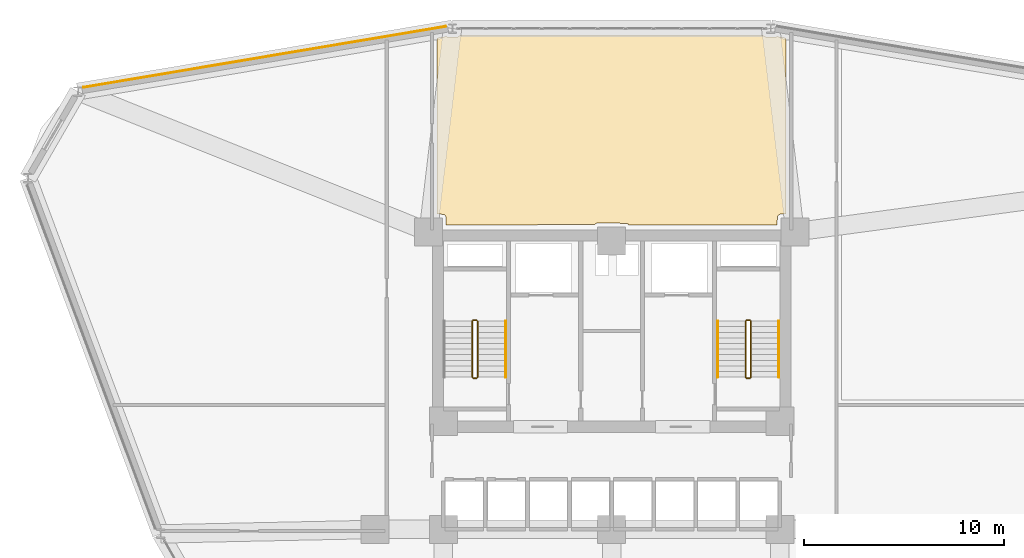
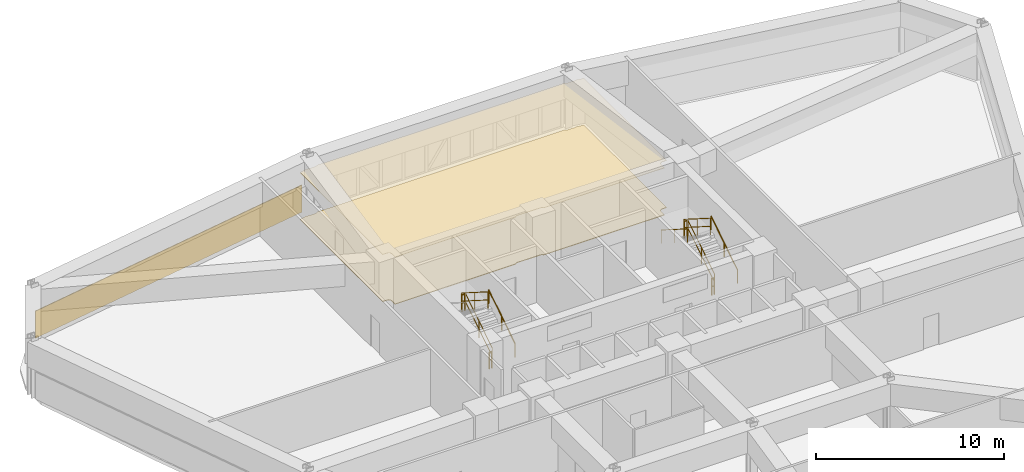
# One storey, part 19 of 20: 11 railings, 3 coverings.
"""IFC4 building model written with IfcOpenShell, lengths in metres."""

from ifc_helpers import new_model, si_unit, derived_unit, direction, frame, origin, origin_2d, place, context, subcontext, project, spatial, polyline, circle, outline, extrude, material, layer, layer_set, type_object, element, save


model = new_model("IFC4")

# Units and contexts
model_context = context("Model", 3, precision=1e-05, world=origin(), true_north=direction((0.0, 1.0)))
body_context = subcontext(model_context, "Body", "Model", "MODEL_VIEW")
ifc_project = project(units=[si_unit("LENGTHUNIT", "METRE"), si_unit("AREAUNIT", "SQUARE_METRE"), si_unit("VOLUMEUNIT", "CUBIC_METRE"), si_unit("PLANEANGLEUNIT", "RADIAN"), si_unit("MASSUNIT", "GRAM", prefix="KILO"), derived_unit("THERMALTRANSMITTANCEUNIT", [(si_unit("POWERUNIT", "WATT"), 1), (si_unit("LENGTHUNIT", "METRE"), -2), (si_unit("THERMODYNAMICTEMPERATUREUNIT", "KELVIN"), -1)])], contexts=[model_context])

# Site, building, storey
site_placement = place(None, origin())
site = spatial("IfcSite", under=ifc_project, at=site_placement, CompositionType="ELEMENT")
building_placement = place(site_placement, origin())
building = spatial("IfcBuilding", under=site, at=building_placement, Name="Korsvarv Bourse and Concert Hall", CompositionType="ELEMENT")
storey_placement = place(building_placement, frame((0.0, 0.0, 39.60009765625)))
storey = spatial("IfcBuildingStorey", under=building, at=storey_placement, Name="L09", CompositionType="ELEMENT", Elevation=39.60009765625)

# Coverings
ifc_material_1 = material(Name="Perforated mineral-wool and birch acoustic baffle ceiling", Category="wood")
ifc_layer_1 = layer(ifc_material_1, 0.02490234375)
ifc_layer_set_1 = layer_set([ifc_layer_1], Name="Perforated mineral-wool and birch acoustic baffle ceiling")
covering_type_1 = type_object("IfcCoveringType", Name="COV-CEIL-1", PredefinedType="CEILING", material=ifc_layer_set_1)
covering_1_placement = place(storey_placement, frame((0.0, 0.0, 3.059814453125)))
element("IfcCovering", 1, at=covering_1_placement, inside=storey, type_object=covering_type_1, Name="L09 acoustic baffle ceiling 3", PredefinedType="CEILING", context=body_context, shape_type="SweptSolid", body=[
    extrude(outline(polyline([(27.753173828125, 57.00537109375), (27.781494140625, 56.993408203125), (27.8154296875, 56.98583984375), (28.266845703125, 56.974609375), (28.302001953125, 56.977294921875), (28.336181640625, 56.98681640625), (28.367919921875, 57.002685546875), (28.395751953125, 57.02490234375), (28.418701171875, 57.0517578125), (43.57177734375, 57.0615234375), (43.59033203125, 57.038818359375), (43.616943359375, 57.016357421875), (43.6474609375, 56.99951171875), (43.680419921875, 56.98876953125), (43.715087890625, 56.984619140625), (44.14892578125, 56.974609375), (44.184326171875, 56.977294921875), (44.21875, 56.98681640625), (44.25048828125, 57.0029296875), (44.7099609375, 56.927490234375), (44.7099609375, 48.139892578125), (44.449951171875, 48.139892578125), (44.415283203125, 48.13671875), (44.3818359375, 48.126708984375), (44.35107421875, 48.1103515625), (44.323974609375, 48.08837890625), (44.301513671875, 48.061767578125), (44.28466796875, 48.03125), (44.274169921875, 47.998046875), (44.27001953125, 47.96337890625), (44.26318359375, 47.60009765625), (36.859619140625, 47.60009765625), (36.837646484375, 47.626708984375), (36.810791015625, 47.649169921875), (36.77978515625, 47.666015625), (36.74609375, 47.67626953125), (36.711181640625, 47.679931640625), (35.30126953125, 47.68994140625), (35.266357421875, 47.686767578125), (35.232421875, 47.677001953125), (35.201416015625, 47.66064453125), (35.174072265625, 47.638427734375), (35.1513671875, 47.611572265625), (27.739990234375, 47.60009765625), (27.739990234375, 47.949951171875), (27.736572265625, 47.984619140625), (27.726806640625, 48.01806640625), (27.71044921875, 48.048828125), (27.688720703125, 48.075927734375), (27.662109375, 48.098388671875), (27.631591796875, 48.114990234375), (27.598388671875, 48.125732421875), (27.56396484375, 48.1298828125), (27.2900390625, 48.135986328125), (27.2900390625, 56.927490234375), (27.753173828125, 57.00537109375)])), origin(), (0.0, 0.0, 1.0), 0.025146484375),
])
ifc_material_2 = material(Name="Warm iron-oxide extruded terracotta rainscreen tile", Category="ceramic")
ifc_layer_2 = layer(ifc_material_2, 0.044921875)
ifc_layer_set_2 = layer_set([ifc_layer_2], Name="Warm iron-oxide extruded terracotta rainscreen tile")
covering_type_2 = type_object("IfcCoveringType", Name="COV-CLD-TC", PredefinedType="CLADDING", material=ifc_layer_set_2)
covering_2_placement = place(storey_placement, origin())
element("IfcCovering", 2, at=covering_2_placement, inside=storey, type_object=covering_type_2, Name="L09 fluted terracotta cladding panel EW-L09-B04", PredefinedType="CLADDING", context=body_context, shape_type="SweptSolid", body=[
    extrude(outline(polyline([(27.740478515625, 57.48486328125), (9.636474609375, 54.440185546875), (9.62890625, 54.484619140625), (27.733154296875, 57.529296875), (27.740478515625, 57.48486328125)])), origin(), (0.0, 0.0, 1.0), 1.760009765625),
])
ifc_material_3 = material(Name="Calcium-sulphate raised access trading floor with Nordic oak top", Category="wood")
ifc_layer_3 = layer(ifc_material_3, 0.0400390625)
ifc_layer_set_3 = layer_set([ifc_layer_3], Name="Calcium-sulphate raised access trading floor with Nordic oak top")
covering_type_3 = type_object("IfcCoveringType", Name="COV-FLOR-1", PredefinedType="FLOORING", material=ifc_layer_set_3)
covering_3_placement = place(storey_placement, origin())
element("IfcCovering", 3, at=covering_3_placement, inside=storey, type_object=covering_type_3, Name="L09 raised access oak floor finish 3", PredefinedType="FLOORING", context=body_context, shape_type="SweptSolid", body=[
    extrude(outline(polyline([(27.753173828125, 57.00537109375), (27.781494140625, 56.993408203125), (27.8154296875, 56.98583984375), (28.266845703125, 56.974609375), (28.302001953125, 56.977294921875), (28.336181640625, 56.98681640625), (28.367919921875, 57.002685546875), (28.395751953125, 57.02490234375), (28.418701171875, 57.0517578125), (43.57177734375, 57.0615234375), (43.59033203125, 57.038818359375), (43.616943359375, 57.016357421875), (43.6474609375, 56.99951171875), (43.680419921875, 56.98876953125), (43.715087890625, 56.984619140625), (44.14892578125, 56.974609375), (44.184326171875, 56.977294921875), (44.21875, 56.98681640625), (44.25048828125, 57.0029296875), (44.7099609375, 56.927490234375), (44.7099609375, 48.139892578125), (44.449951171875, 48.139892578125), (44.415283203125, 48.13671875), (44.3818359375, 48.126708984375), (44.35107421875, 48.1103515625), (44.323974609375, 48.08837890625), (44.301513671875, 48.061767578125), (44.28466796875, 48.03125), (44.274169921875, 47.998046875), (44.27001953125, 47.96337890625), (44.26318359375, 47.60009765625), (36.859619140625, 47.60009765625), (36.837646484375, 47.626708984375), (36.810791015625, 47.649169921875), (36.77978515625, 47.666015625), (36.74609375, 47.67626953125), (36.711181640625, 47.679931640625), (35.30126953125, 47.68994140625), (35.266357421875, 47.686767578125), (35.232421875, 47.677001953125), (35.201416015625, 47.66064453125), (35.174072265625, 47.638427734375), (35.1513671875, 47.611572265625), (27.739990234375, 47.60009765625), (27.739990234375, 47.949951171875), (27.736572265625, 47.984619140625), (27.726806640625, 48.01806640625), (27.71044921875, 48.048828125), (27.688720703125, 48.075927734375), (27.662109375, 48.098388671875), (27.631591796875, 48.114990234375), (27.598388671875, 48.125732421875), (27.56396484375, 48.1298828125), (27.2900390625, 48.135986328125), (27.2900390625, 56.927490234375), (27.753173828125, 57.00537109375)])), origin(), (0.0, 0.0, 1.0), 0.039794921875),
])

# Railings
ifc_material_4 = material(Name="Painted Steel S355 stair well guardrail", Category="steel")
railing_type_1 = type_object("IfcRailingType", Name="RL-ST-GRD", PredefinedType="GUARDRAIL", material=ifc_material_4)
railing_1_placement = place(storey_placement, frame((29.31005859375, 40.0, 0.17724609375)))
element("IfcRailing", 4, at=railing_1_placement, inside=storey, type_object=railing_type_1, Name="L09 ST-T1 stair guard 1", PredefinedType="GUARDRAIL", context=body_context, shape_type="SweptSolid", body=[
    extrude(circle(Radius=0.02392578125, at=origin_2d()), frame((0.0, 0.0, 1.076171875), z_axis=(0.0, 0.844908973607, 0.534910110503), x_axis=(-1.0, 0.0, 0.0)), (0.0, 0.0, 1.0), 3.31396484375),
    extrude(circle(Radius=0.02392578125, at=origin_2d()), frame((0.0, 0.0, 0.550048828125), z_axis=(0.0, 0.844908973607, 0.534910110503), x_axis=(-1.0, 0.0, 0.0)), (0.0, 0.0, 1.0), 3.31396484375),
    extrude(circle(Radius=0.02099609375, at=origin_2d()), origin(), (0.0, 0.0, 1.0), 1.052001953125),
    extrude(circle(Radius=0.02099609375, at=origin_2d()), frame((0.0, 1.39990234375, 0.88623046875)), (0.0, 0.0, 1.0), 1.052001953125),
    extrude(circle(Radius=0.02099609375, at=origin_2d()), frame((0.0, 2.800048828125, 1.772705078125)), (0.0, 0.0, 1.0), 1.052001953125),
])
railing_2_placement = place(storey_placement, frame((29.260009765625, 42.85009765625, 1.949951171875)))
element("IfcRailing", 5, at=railing_2_placement, inside=storey, type_object=railing_type_1, Name="L09 ST-T1 stair guard 2", PredefinedType="GUARDRAIL", context=body_context, shape_type="SweptSolid", body=[
    extrude(circle(Radius=0.02392578125, at=origin_2d()), frame((0.0, 0.0, 1.076171875), z_axis=(-1.0, 0.0, 0.0), x_axis=(0.0, -1.0, 0.0)), (0.0, 0.0, 1.0), 0.159912109375),
    extrude(circle(Radius=0.02392578125, at=origin_2d()), frame((0.0, 0.0, 0.550048828125), z_axis=(-1.0, 0.0, 0.0), x_axis=(0.0, -1.0, 0.0)), (0.0, 0.0, 1.0), 0.159912109375),
    extrude(circle(Radius=0.02099609375, at=origin_2d()), origin(), (0.0, 0.0, 1.0), 1.052001953125),
    extrude(circle(Radius=0.02099609375, at=origin_2d()), frame((-0.159912109375, 0.0, 0.0)), (0.0, 0.0, 1.0), 1.052001953125),
])
railing_3_placement = place(storey_placement, frame((29.050048828125, 42.800048828125, 2.127197265625)))
element("IfcRailing", 6, at=railing_3_placement, inside=storey, type_object=railing_type_1, Name="L09 ST-T1 stair guard 3", PredefinedType="GUARDRAIL", context=body_context, shape_type="SweptSolid", body=[
    extrude(circle(Radius=0.02392578125, at=origin_2d()), frame((0.0, 0.0, 1.076171875), z_axis=(0.0, -0.844908973607, 0.534910110503), x_axis=(1.0, 0.0, 0.0)), (0.0, 0.0, 1.0), 3.31396484375),
    extrude(circle(Radius=0.02392578125, at=origin_2d()), frame((0.0, 0.0, 0.550048828125), z_axis=(0.0, -0.844908973607, 0.534910110503), x_axis=(1.0, 0.0, 0.0)), (0.0, 0.0, 1.0), 3.31396484375),
    extrude(circle(Radius=0.02099609375, at=origin_2d()), origin(), (0.0, 0.0, 1.0), 1.052001953125),
    extrude(circle(Radius=0.02099609375, at=origin_2d()), frame((0.0, -1.39990234375, 0.88623046875)), (0.0, 0.0, 1.0), 1.052001953125),
    extrude(circle(Radius=0.02099609375, at=origin_2d()), frame((0.0, -2.800048828125, 1.772705078125)), (0.0, 0.0, 1.0), 1.052001953125),
])
railing_4_placement = place(storey_placement, frame((29.260009765625, 39.949951171875, 0.0)))
element("IfcRailing", 7, at=railing_4_placement, inside=storey, type_object=railing_type_1, Name="L09 ST-T1 stair guard 4", PredefinedType="GUARDRAIL", context=body_context, shape_type="SweptSolid", body=[
    extrude(circle(Radius=0.02392578125, at=origin_2d()), frame((0.0, 0.0, 1.076171875), z_axis=(-1.0, 0.0, 0.0), x_axis=(0.0, -1.0, 0.0)), (0.0, 0.0, 1.0), 0.159912109375),
    extrude(circle(Radius=0.02392578125, at=origin_2d()), frame((0.0, 0.0, 0.550048828125), z_axis=(-1.0, 0.0, 0.0), x_axis=(0.0, -1.0, 0.0)), (0.0, 0.0, 1.0), 0.159912109375),
    extrude(circle(Radius=0.02099609375, at=origin_2d()), origin(), (0.0, 0.0, 1.0), 1.052001953125),
    extrude(circle(Radius=0.02099609375, at=origin_2d()), frame((-0.159912109375, 0.0, 0.0)), (0.0, 0.0, 1.0), 1.052001953125),
])
railing_5_placement = place(storey_placement, frame((42.949951171875, 40.0, 0.17724609375)))
element("IfcRailing", 8, at=railing_5_placement, inside=storey, type_object=railing_type_1, Name="L09 ST-T2 stair guard 1", PredefinedType="GUARDRAIL", context=body_context, shape_type="SweptSolid", body=[
    extrude(circle(Radius=0.02392578125, at=origin_2d()), frame((0.0, 0.0, 1.076171875), z_axis=(0.0, 0.844908973607, 0.534910110503), x_axis=(-1.0, 0.0, 0.0)), (0.0, 0.0, 1.0), 3.31396484375),
    extrude(circle(Radius=0.02392578125, at=origin_2d()), frame((0.0, 0.0, 0.550048828125), z_axis=(0.0, 0.844908973607, 0.534910110503), x_axis=(-1.0, 0.0, 0.0)), (0.0, 0.0, 1.0), 3.31396484375),
    extrude(circle(Radius=0.02099609375, at=origin_2d()), origin(), (0.0, 0.0, 1.0), 1.052001953125),
    extrude(circle(Radius=0.02099609375, at=origin_2d()), frame((0.0, 1.39990234375, 0.88623046875)), (0.0, 0.0, 1.0), 1.052001953125),
    extrude(circle(Radius=0.02099609375, at=origin_2d()), frame((0.0, 2.800048828125, 1.772705078125)), (0.0, 0.0, 1.0), 1.052001953125),
])
railing_6_placement = place(storey_placement, frame((42.89990234375, 42.85009765625, 1.949951171875)))
element("IfcRailing", 9, at=railing_6_placement, inside=storey, type_object=railing_type_1, Name="L09 ST-T2 stair guard 2", PredefinedType="GUARDRAIL", context=body_context, shape_type="SweptSolid", body=[
    extrude(circle(Radius=0.02392578125, at=origin_2d()), frame((0.0, 0.0, 1.076171875), z_axis=(-1.0, 0.0, 0.0), x_axis=(0.0, -1.0, 0.0)), (0.0, 0.0, 1.0), 0.159912109375),
    extrude(circle(Radius=0.02392578125, at=origin_2d()), frame((0.0, 0.0, 0.550048828125), z_axis=(-1.0, 0.0, 0.0), x_axis=(0.0, -1.0, 0.0)), (0.0, 0.0, 1.0), 0.159912109375),
    extrude(circle(Radius=0.02099609375, at=origin_2d()), origin(), (0.0, 0.0, 1.0), 1.052001953125),
    extrude(circle(Radius=0.02099609375, at=origin_2d()), frame((-0.159912109375, 0.0, 0.0)), (0.0, 0.0, 1.0), 1.052001953125),
])
railing_7_placement = place(storey_placement, frame((42.68994140625, 42.800048828125, 2.127197265625)))
element("IfcRailing", 10, at=railing_7_placement, inside=storey, type_object=railing_type_1, Name="L09 ST-T2 stair guard 3", PredefinedType="GUARDRAIL", context=body_context, shape_type="SweptSolid", body=[
    extrude(circle(Radius=0.02392578125, at=origin_2d()), frame((0.0, 0.0, 1.076171875), z_axis=(0.0, -0.844908973607, 0.534910110503), x_axis=(1.0, 0.0, 0.0)), (0.0, 0.0, 1.0), 3.31396484375),
    extrude(circle(Radius=0.02392578125, at=origin_2d()), frame((0.0, 0.0, 0.550048828125), z_axis=(0.0, -0.844908973607, 0.534910110503), x_axis=(1.0, 0.0, 0.0)), (0.0, 0.0, 1.0), 3.31396484375),
    extrude(circle(Radius=0.02099609375, at=origin_2d()), origin(), (0.0, 0.0, 1.0), 1.052001953125),
    extrude(circle(Radius=0.02099609375, at=origin_2d()), frame((0.0, -1.39990234375, 0.88623046875)), (0.0, 0.0, 1.0), 1.052001953125),
    extrude(circle(Radius=0.02099609375, at=origin_2d()), frame((0.0, -2.800048828125, 1.772705078125)), (0.0, 0.0, 1.0), 1.052001953125),
])
railing_8_placement = place(storey_placement, frame((42.89990234375, 39.949951171875, 0.0)))
element("IfcRailing", 11, at=railing_8_placement, inside=storey, type_object=railing_type_1, Name="L09 ST-T2 stair guard 4", PredefinedType="GUARDRAIL", context=body_context, shape_type="SweptSolid", body=[
    extrude(circle(Radius=0.02392578125, at=origin_2d()), frame((0.0, 0.0, 1.076171875), z_axis=(-1.0, 0.0, 0.0), x_axis=(0.0, -1.0, 0.0)), (0.0, 0.0, 1.0), 0.159912109375),
    extrude(circle(Radius=0.02392578125, at=origin_2d()), frame((0.0, 0.0, 0.550048828125), z_axis=(-1.0, 0.0, 0.0), x_axis=(0.0, -1.0, 0.0)), (0.0, 0.0, 1.0), 0.159912109375),
    extrude(circle(Radius=0.02099609375, at=origin_2d()), origin(), (0.0, 0.0, 1.0), 1.052001953125),
    extrude(circle(Radius=0.02099609375, at=origin_2d()), frame((-0.159912109375, 0.0, 0.0)), (0.0, 0.0, 1.0), 1.052001953125),
])
ifc_material_5 = material(Name="Brushed stainless Steel S355 tubular handrail", Category="steel")
railing_type_2 = type_object("IfcRailingType", Name="RL-ST-HND", PredefinedType="HANDRAIL", material=ifc_material_5)
for number, where, name in (
    (12, (30.7099609375, 40.0, 0.17724609375), "L09 ST-T1 stair handrail 1"),
    (13, (44.35009765625, 40.0, 0.17724609375), "L09 ST-T2 stair handrail 1"),
):
    element("IfcRailing", number, at=place(storey_placement, frame(where)), inside=storey, type_object=railing_type_2, Name=name, PredefinedType="HANDRAIL", context=body_context, shape_type="SweptSolid", body=[
        extrude(circle(Radius=0.02392578125, at=origin_2d()), frame((0.0, 0.0, 0.8759765625), z_axis=(0.0, 0.844908973607, 0.534910110503), x_axis=(-1.0, 0.0, 0.0)), (0.0, 0.0, 1.0), 3.31396484375),
        extrude(circle(Radius=0.02099609375, at=origin_2d()), origin(), (0.0, 0.0, 1.0), 0.851806640625),
        extrude(circle(Radius=0.02099609375, at=origin_2d()), frame((0.0, 1.39990234375, 0.88623046875)), (0.0, 0.0, 1.0), 0.851806640625),
        extrude(circle(Radius=0.02099609375, at=origin_2d()), frame((0.0, 2.800048828125, 1.772705078125)), (0.0, 0.0, 1.0), 0.851806640625),
    ])
railing_9_placement = place(storey_placement, frame((41.2900390625, 42.800048828125, 2.127197265625)))
element("IfcRailing", 14, at=railing_9_placement, inside=storey, type_object=railing_type_2, Name="L09 ST-T2 stair handrail 2", PredefinedType="HANDRAIL", context=body_context, shape_type="SweptSolid", body=[
    extrude(circle(Radius=0.02392578125, at=origin_2d()), frame((0.0, 0.0, 0.8759765625), z_axis=(0.0, -0.844908973607, 0.534910110503), x_axis=(1.0, 0.0, 0.0)), (0.0, 0.0, 1.0), 3.31396484375),
    extrude(circle(Radius=0.02099609375, at=origin_2d()), origin(), (0.0, 0.0, 1.0), 0.851806640625),
    extrude(circle(Radius=0.02099609375, at=origin_2d()), frame((0.0, -1.39990234375, 0.88623046875)), (0.0, 0.0, 1.0), 0.851806640625),
    extrude(circle(Radius=0.02099609375, at=origin_2d()), frame((0.0, -2.800048828125, 1.772705078125)), (0.0, 0.0, 1.0), 0.851806640625),
])

save(model, "model.ifc")
